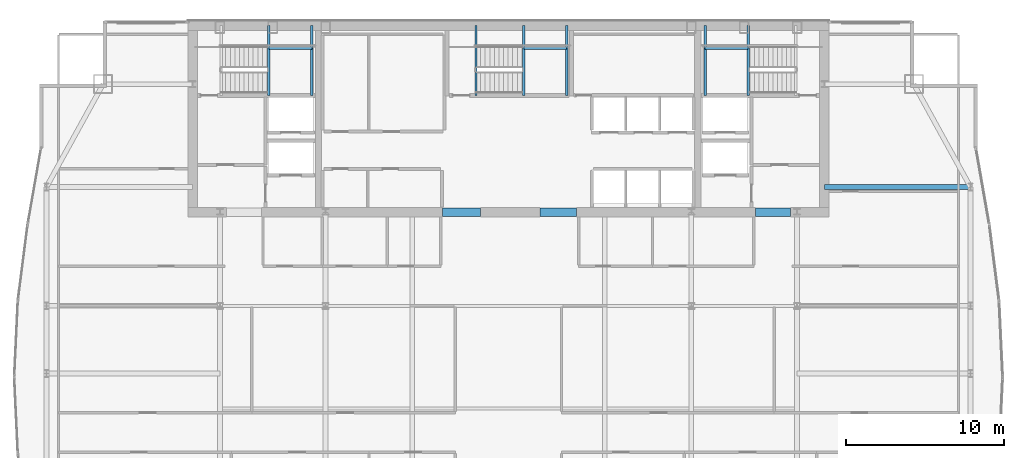
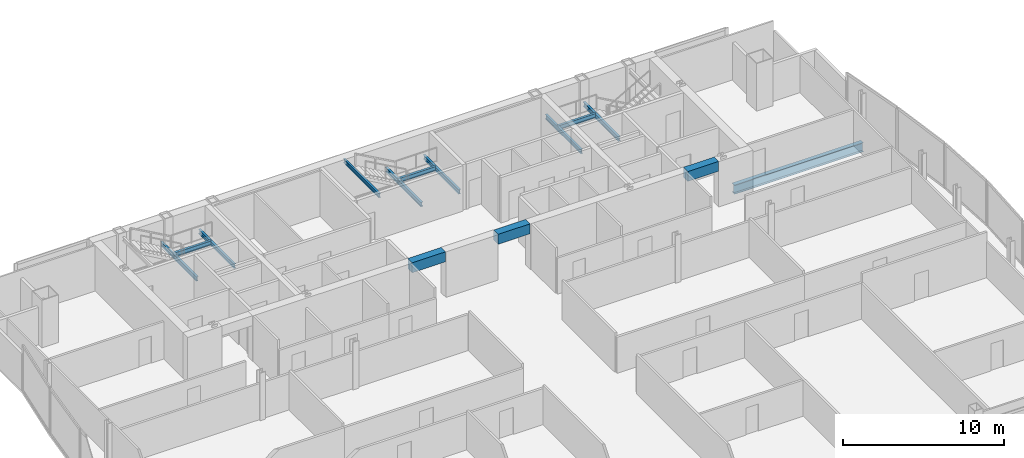
# One storey, part 22 of 30: 14 beams.
"""IFC4 building model written with IfcOpenShell, lengths in metres."""

from ifc_helpers import new_model, si_unit, direction, frame, origin, origin_2d, place, context, subcontext, project, spatial, rectangle, i_section, extrude, material, material_profile, profile_set, type_object, element, save


model = new_model("IFC4")

# Units and contexts
model_context = context("Model", 3, precision=1e-05, world=origin(), true_north=direction((0.0, 1.0)))
body_context = subcontext(model_context, "Body", "Model", "MODEL_VIEW")
ifc_project = project(units=[si_unit("LENGTHUNIT", "METRE"), si_unit("AREAUNIT", "SQUARE_METRE"), si_unit("VOLUMEUNIT", "CUBIC_METRE"), si_unit("PLANEANGLEUNIT", "RADIAN"), si_unit("MASSUNIT", "GRAM", prefix="KILO")], contexts=[model_context])

# Site, building, storey
site_placement = place(None, origin())
site = spatial("IfcSite", under=ifc_project, at=site_placement, CompositionType="ELEMENT")
building_placement = place(site_placement, origin())
building = spatial("IfcBuilding", under=site, at=building_placement, Name="Khoronbel Lancet Exchange", CompositionType="ELEMENT")
storey_placement = place(building_placement, frame((0.0, 0.0, 203.0)))
storey = spatial("IfcBuildingStorey", under=building, at=storey_placement, Name="L51", CompositionType="ELEMENT", Elevation=203.0)

# Beams
ifc_material_1 = material(Name="Steel S355", Category="steel")
ifc_material_profile_1 = material_profile(ifc_material_1, i_section(OverallWidth=0.300048828125, OverallDepth=0.699951171875, WebThickness=0.01708984375, FlangeThickness=0.031982421875, at=origin_2d()), Name="HEB 700")
ifc_profile_set_1 = profile_set([ifc_material_profile_1], Name="Steel S355")
beam_type_1 = type_object("IfcBeamType", Name="BM-BG3", PredefinedType="BEAM", material=ifc_profile_set_1)
beam_1_placement = place(storey_placement, frame((56.39990234375, 43.199951171875, -0.510009765625), z_axis=(1.0, 0.0, 0.0), x_axis=(0.0, 1.0, 0.0)))
element("IfcBeam", 1, at=beam_1_placement, inside=storey, type_object=beam_type_1, Name="Level L51 east lens tie girder LG3E", PredefinedType="BEAM", context=body_context, shape_type="SweptSolid", body=[
    extrude(i_section(OverallWidth=0.300048828125, OverallDepth=0.699951171875, WebThickness=0.01708984375, FlangeThickness=0.031982421875, at=origin_2d()), origin(), (0.0, 0.0, 1.0), 9.22998046875),
])
ifc_material_profile_2 = material_profile(ifc_material_1, i_section(OverallWidth=0.159912109375, OverallDepth=0.330078125, WebThickness=0.007568359375, FlangeThickness=0.011474609375, at=origin_2d()), Name="IPE 330")
ifc_profile_set_2 = profile_set([ifc_material_profile_2], Name="Steel S355")
beam_type_2 = type_object("IfcBeamType", Name="BM-BJ7", PredefinedType="JOIST", material=ifc_profile_set_2)
for number, where, z_axis, x_axis, name in (
    (2, (21.320068359375, 48.97998046875, 1.43505859375), (0.0, 1.0, 0.0), (-1.0, 0.0, 0.0), "Level L51 stair ST1 landing bearer beam 1"),
    (3, (24.030029296875, 48.97998046875, 1.43505859375), (0.0, 1.0, 0.0), (-1.0, 0.0, 0.0), "Level L51 stair ST1 rear landing bearer beam 1"),
):
    element("IfcBeam", number, at=place(storey_placement, frame(where, z_axis=z_axis, x_axis=x_axis)), inside=storey, type_object=beam_type_2, Name=name, PredefinedType="JOIST", context=body_context, shape_type="SweptSolid", body=[
        extrude(i_section(OverallWidth=0.159912109375, OverallDepth=0.330078125, WebThickness=0.007568359375, FlangeThickness=0.011474609375, at=origin_2d()), origin(), (0.0, 0.0, 1.0), 4.419921875),
    ])
beam_2_placement = place(storey_placement, frame((21.320068359375, 51.97998046875, 1.43505859375), z_axis=(1.0, 0.0, 0.0), x_axis=(0.0, 1.0, 0.0)))
element("IfcBeam", 4, at=beam_2_placement, inside=storey, type_object=beam_type_2, Name="Level L51 stair ST1 landing cross trimmer beam 1", PredefinedType="JOIST", context=body_context, shape_type="SweptSolid", body=[
    extrude(i_section(OverallWidth=0.159912109375, OverallDepth=0.330078125, WebThickness=0.007568359375, FlangeThickness=0.011474609375, at=origin_2d()), origin(), (0.0, 0.0, 1.0), 2.7099609375),
])
for number, where, z_axis, x_axis, name in (
    (5, (51.580078125, 48.97998046875, 1.43505859375), (0.0, 1.0, 0.0), (-1.0, 0.0, 0.0), "Level L51 stair ST2 landing bearer beam 1"),
    (6, (48.8701171875, 48.97998046875, 1.43505859375), (0.0, 1.0, 0.0), (-1.0, 0.0, 0.0), "Level L51 stair ST2 rear landing bearer beam 1"),
):
    element("IfcBeam", number, at=place(storey_placement, frame(where, z_axis=z_axis, x_axis=x_axis)), inside=storey, type_object=beam_type_2, Name=name, PredefinedType="JOIST", context=body_context, shape_type="SweptSolid", body=[
        extrude(i_section(OverallWidth=0.159912109375, OverallDepth=0.330078125, WebThickness=0.007568359375, FlangeThickness=0.011474609375, at=origin_2d()), origin(), (0.0, 0.0, 1.0), 4.419921875),
    ])
beam_3_placement = place(storey_placement, frame((48.8701171875, 51.97998046875, 1.43505859375), z_axis=(1.0, 0.0, 0.0), x_axis=(0.0, 1.0, 0.0)))
element("IfcBeam", 7, at=beam_3_placement, inside=storey, type_object=beam_type_2, Name="Level L51 stair ST2 landing cross trimmer beam 1", PredefinedType="JOIST", context=body_context, shape_type="SweptSolid", body=[
    extrude(i_section(OverallWidth=0.159912109375, OverallDepth=0.330078125, WebThickness=0.007568359375, FlangeThickness=0.011474609375, at=origin_2d()), origin(), (0.0, 0.0, 1.0), 2.7099609375),
])
for number, where, z_axis, x_axis, name in (
    (8, (37.419921875, 48.97998046875, 1.43505859375), (0.0, 1.0, 0.0), (-1.0, 0.0, 0.0), "Level L51 stair ST3 landing bearer beam 1"),
    (9, (40.1298828125, 48.97998046875, 1.43505859375), (0.0, 1.0, 0.0), (-1.0, 0.0, 0.0), "Level L51 stair ST3 rear landing bearer beam 1"),
):
    element("IfcBeam", number, at=place(storey_placement, frame(where, z_axis=z_axis, x_axis=x_axis)), inside=storey, type_object=beam_type_2, Name=name, PredefinedType="JOIST", context=body_context, shape_type="SweptSolid", body=[
        extrude(i_section(OverallWidth=0.159912109375, OverallDepth=0.330078125, WebThickness=0.007568359375, FlangeThickness=0.011474609375, at=origin_2d()), origin(), (0.0, 0.0, 1.0), 4.419921875),
    ])
beam_4_placement = place(storey_placement, frame((37.419921875, 51.97998046875, 1.43505859375), z_axis=(1.0, 0.0, 0.0), x_axis=(0.0, 1.0, 0.0)))
element("IfcBeam", 10, at=beam_4_placement, inside=storey, type_object=beam_type_2, Name="Level L51 stair ST3 landing cross trimmer beam 1", PredefinedType="JOIST", context=body_context, shape_type="SweptSolid", body=[
    extrude(i_section(OverallWidth=0.159912109375, OverallDepth=0.330078125, WebThickness=0.007568359375, FlangeThickness=0.011474609375, at=origin_2d()), origin(), (0.0, 0.0, 1.0), 2.7099609375),
])
ifc_material_profile_3 = material_profile(ifc_material_1, i_section(OverallWidth=0.14990234375, OverallDepth=0.300048828125, WebThickness=0.007080078125, FlangeThickness=0.0107421875, at=origin_2d()), Name="IPE 300")
ifc_profile_set_3 = profile_set([ifc_material_profile_3], Name="Steel S355")
beam_type_3 = type_object("IfcBeamType", Name="BM-BJ8", PredefinedType="JOIST", material=ifc_profile_set_3)
beam_5_placement = place(storey_placement, frame((34.39990234375, 48.97998046875, 3.159912109375), z_axis=(0.0, 1.0, 0.0), x_axis=(-1.0, 0.0, 0.0)))
element("IfcBeam", 11, at=beam_5_placement, inside=storey, type_object=beam_type_3, Name="Level L51 stair ST3 upper-flight arrival trimmer beam", PredefinedType="JOIST", context=body_context, shape_type="SweptSolid", body=[
    extrude(i_section(OverallWidth=0.14990234375, OverallDepth=0.300048828125, WebThickness=0.007080078125, FlangeThickness=0.0107421875, at=origin_2d()), origin(), (0.0, 0.0, 1.0), 4.419921875),
])
ifc_material_2 = material(Name="Concrete C60/75", Category="concrete")
ifc_material_profile_4 = material_profile(ifc_material_2, rectangle(XDim=0.550048828125, YDim=0.75, at=origin_2d()), Name="RC 550x750")
ifc_profile_set_4 = profile_set([ifc_material_profile_4], Name="Concrete C60/75")
beam_type_4 = type_object("IfcBeamType", Name="BM-BL2", PredefinedType="LINTEL", material=ifc_profile_set_4)
beam_6_placement = place(storey_placement, frame((32.300048828125, 41.60009765625, 3.06494140625), z_axis=(1.0, 0.0, 0.0), x_axis=(0.0, 1.0, 0.0)))
element("IfcBeam", 12, at=beam_6_placement, inside=storey, type_object=beam_type_4, Name="Level L51 rear core coupling lintel L2", PredefinedType="LINTEL", context=body_context, shape_type="SweptSolid", body=[
    extrude(rectangle(XDim=0.550048828125, YDim=0.75, at=origin_2d()), origin(), (0.0, 0.0, 1.0), 2.39990234375),
])
beam_7_placement = place(storey_placement, frame((38.449951171875, 41.60009765625, 3.06494140625), z_axis=(1.0, 0.0, 0.0), x_axis=(0.0, 1.0, 0.0)))
element("IfcBeam", 13, at=beam_7_placement, inside=storey, type_object=beam_type_4, Name="Level L51 rear core coupling lintel L3", PredefinedType="LINTEL", context=body_context, shape_type="SweptSolid", body=[
    extrude(rectangle(XDim=0.550048828125, YDim=0.75, at=origin_2d()), origin(), (0.0, 0.0, 1.0), 2.300048828125),
])
beam_8_placement = place(storey_placement, frame((52.050048828125, 41.60009765625, 3.06494140625), z_axis=(1.0, 0.0, 0.0), x_axis=(0.0, 1.0, 0.0)))
element("IfcBeam", 14, at=beam_8_placement, inside=storey, type_object=beam_type_4, Name="Level L51 rear core coupling lintel L4", PredefinedType="LINTEL", context=body_context, shape_type="SweptSolid", body=[
    extrude(rectangle(XDim=0.550048828125, YDim=0.75, at=origin_2d()), origin(), (0.0, 0.0, 1.0), 2.199951171875),
])

save(model, "model.ifc")
